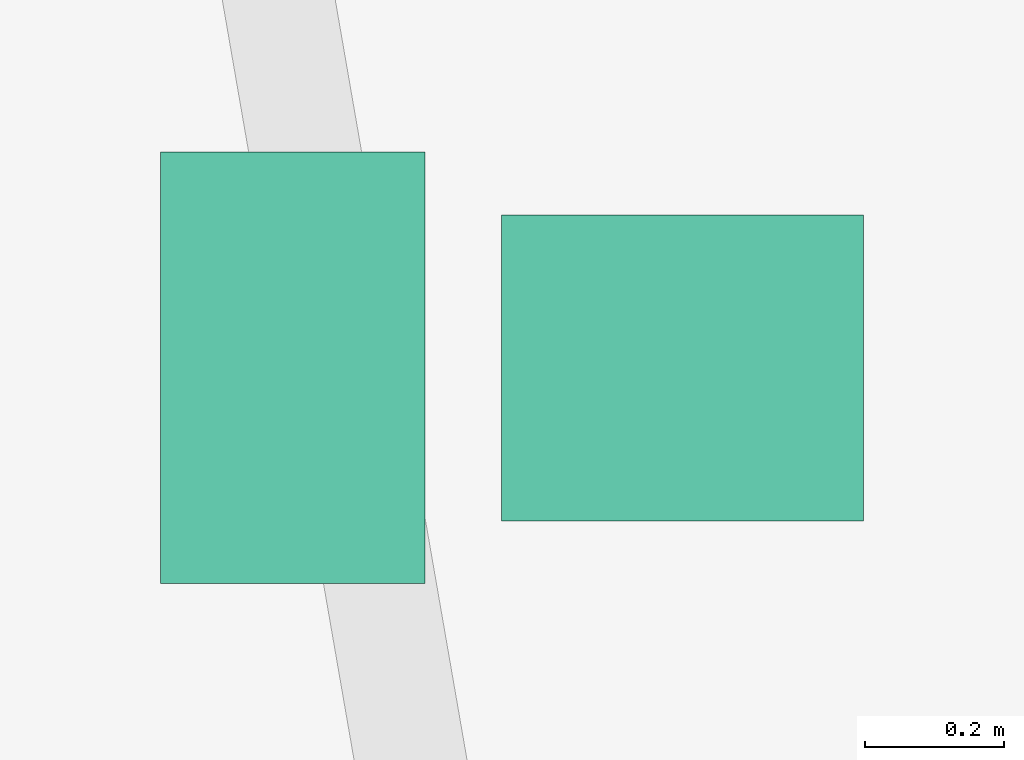
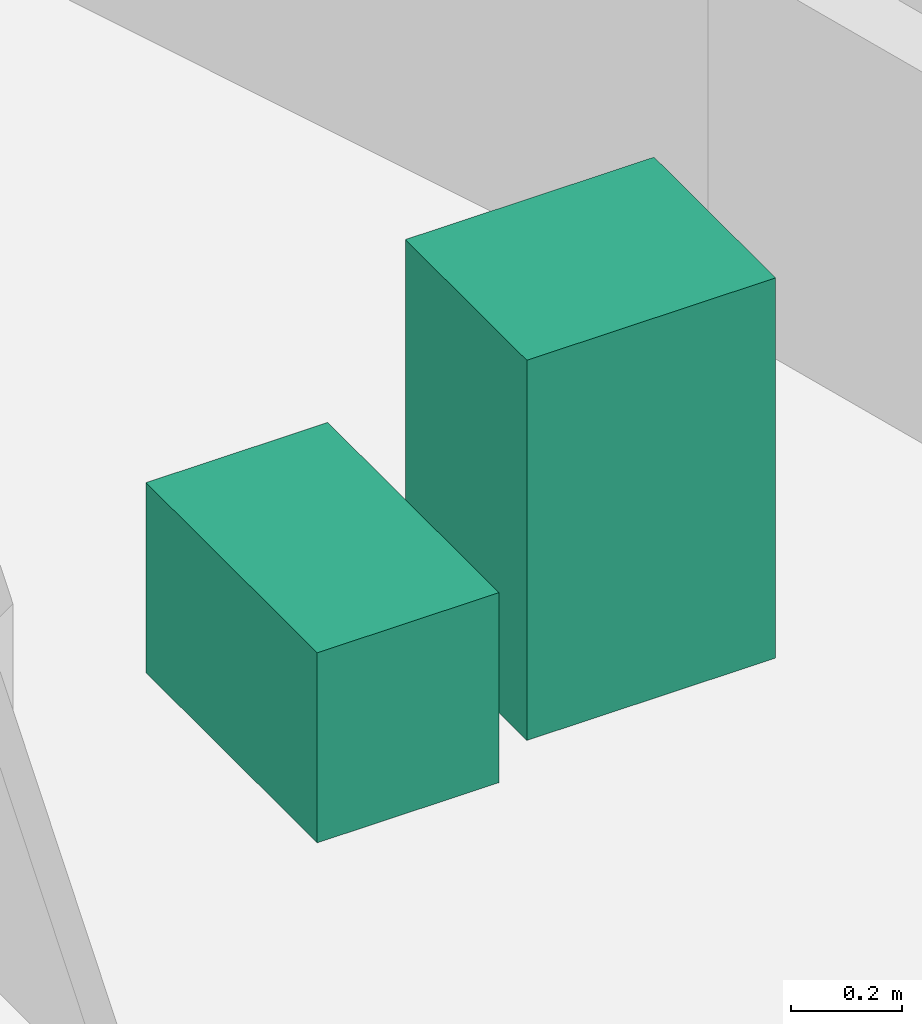
# One storey, part 11 of 11: 2 sanitary terminals.
"""IFC4 building model written with IfcOpenShell, lengths in metres."""

from ifc_helpers import new_model, si_unit, direction, frame, origin, origin_2d, place, context, subcontext, project, spatial, rectangle, extrude, source, transform, mapped, material, type_object, element, save


model = new_model("IFC4")

# Units and contexts
model_context = context("Model", 3, precision=1e-05, world=origin(), true_north=direction((0.0, 1.0)))
body_context = subcontext(model_context, "Body", "Model", "MODEL_VIEW")
ifc_project = project(units=[si_unit("LENGTHUNIT", "METRE"), si_unit("AREAUNIT", "SQUARE_METRE"), si_unit("VOLUMEUNIT", "CUBIC_METRE"), si_unit("PLANEANGLEUNIT", "RADIAN"), si_unit("MASSUNIT", "GRAM", prefix="KILO")], contexts=[model_context])

# Site, building, storey
site_placement = place(None, origin())
site = spatial("IfcSite", under=ifc_project, at=site_placement, CompositionType="ELEMENT")
building_placement = place(site_placement, origin())
building = spatial("IfcBuilding", under=site, at=building_placement, Name="Qafzar Sky-Pleat Residences", CompositionType="ELEMENT")
storey_placement = place(building_placement, frame((0.0, 0.0, 246.800048828125)))
storey = spatial("IfcBuildingStorey", under=building, at=storey_placement, Name="L74", CompositionType="ELEMENT", Elevation=246.800048828125)

# Sanitary terminals
ifc_material = material(Name="Vitreous china sanitaryware")
sanitary_terminal_type_1 = type_object("IfcSanitaryTerminalType", Name="SAN-WC-PAN", PredefinedType="TOILETPAN", material=ifc_material)
shared_shape_1 = source(origin(), body_context, "Body", "SweptSolid", [
    extrude(rectangle(XDim=0.3798828125, YDim=0.6201171875, at=origin_2d()), origin(), (0.0, 0.0, 1.0), 0.419921875),
])
sanitary_terminal_1_placement = place(storey_placement, frame((38.920166015625, 33.411865234375, 0.0), z_axis=(0.0, 0.0, 1.0), x_axis=(1.0, 0.0, 0.0)))
element("IfcSanitaryTerminal", 1, at=sanitary_terminal_1_placement, inside=storey, type_object=sanitary_terminal_type_1, Name="L74 Accessible Shared Washroom WC Pan", PredefinedType="TOILETPAN", context=body_context, shape_type="MappedRepresentation", body=[
    mapped(shared_shape_1, transform((0.0, 0.0, 0.0), x_axis=(1.0, 0.0, 0.0), y_axis=(0.0, 1.0, 0.0), z_axis=(0.0, 0.0, 1.0), scale=1.0)),
])
sanitary_terminal_type_2 = type_object("IfcSanitaryTerminalType", Name="SAN-BASIN", PredefinedType="WASHHANDBASIN", material=ifc_material)
shared_shape_2 = source(origin(), body_context, "Body", "SweptSolid", [
    extrude(rectangle(XDim=0.52001953125, YDim=0.43994140625, at=origin_2d()), origin(), (0.0, 0.0, 1.0), 0.840087890625),
])
sanitary_terminal_2_placement = place(storey_placement, frame((39.480224609375, 33.411865234375, 0.0), z_axis=(0.0, 0.0, 1.0), x_axis=(1.0, 0.0, 0.0)))
element("IfcSanitaryTerminal", 2, at=sanitary_terminal_2_placement, inside=storey, type_object=sanitary_terminal_type_2, Name="L74 Accessible Shared Washroom Pedestal Washbasin", PredefinedType="WASHHANDBASIN", context=body_context, shape_type="MappedRepresentation", body=[
    mapped(shared_shape_2, transform((0.0, 0.0, 0.0), x_axis=(1.0, 0.0, 0.0), y_axis=(0.0, 1.0, 0.0), z_axis=(0.0, 0.0, 1.0), scale=1.0)),
])

save(model, "model.ifc")
